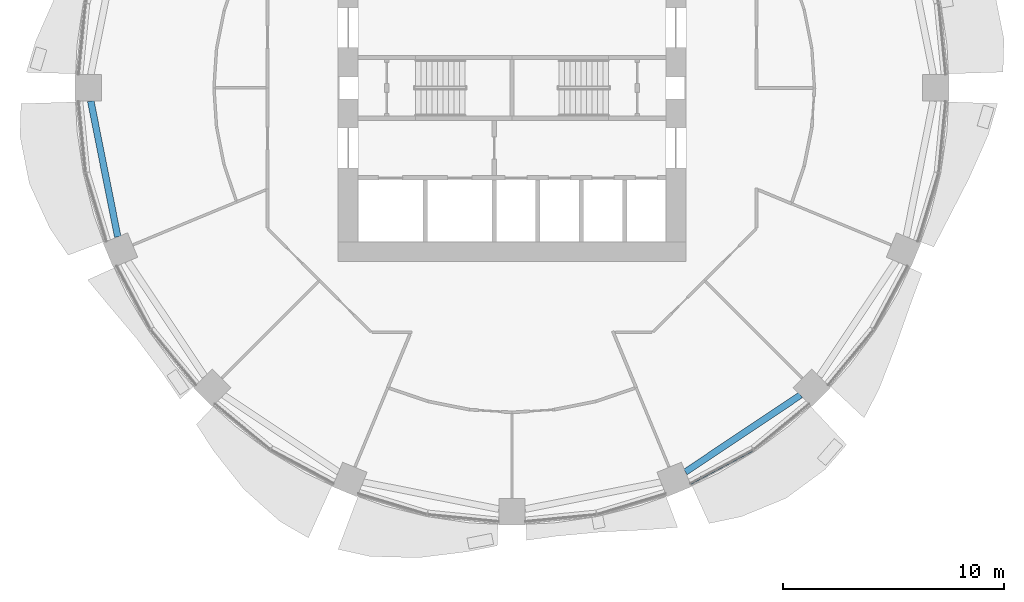
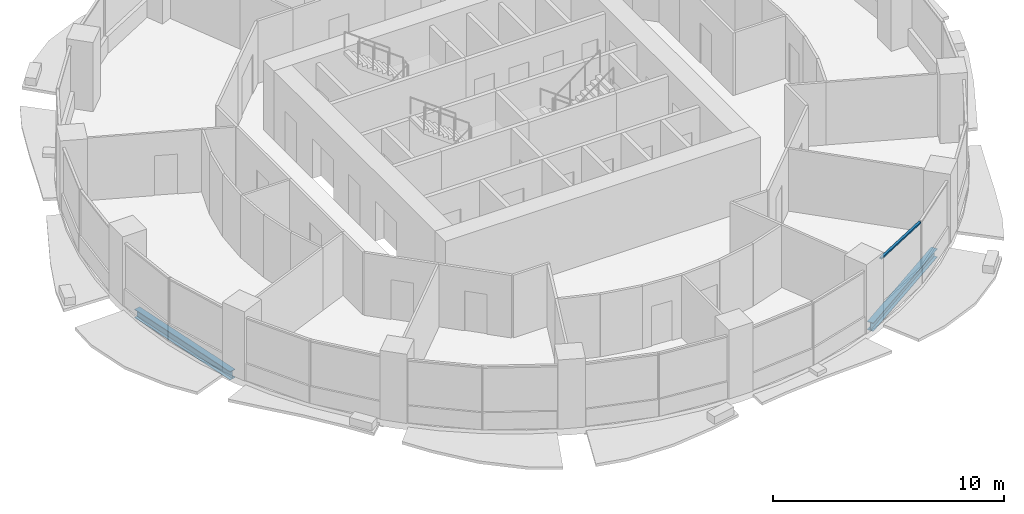
# One storey, part 3 of 15: 2 beams, 1 member, 1 element without a shape of its own.
"""IFC4 building model written with IfcOpenShell, lengths in metres."""

from ifc_helpers import new_model, si_unit, direction, frame, origin, origin_2d, place, context, subcontext, project, spatial, rectangle, i_section, extrude, material, material_profile, profile_set, type_object, element, aggregate, save


model = new_model("IFC4")

# Units and contexts
model_context = context("Model", 3, precision=1e-05, world=origin(), true_north=direction((0.0, 1.0)))
body_context = subcontext(model_context, "Body", "Model", "MODEL_VIEW")
ifc_project = project(units=[si_unit("LENGTHUNIT", "METRE"), si_unit("AREAUNIT", "SQUARE_METRE"), si_unit("VOLUMEUNIT", "CUBIC_METRE"), si_unit("PLANEANGLEUNIT", "RADIAN"), si_unit("MASSUNIT", "GRAM", prefix="KILO")], contexts=[model_context])

# Site, building, storey
site_placement = place(None, origin())
site = spatial("IfcSite", under=ifc_project, at=site_placement, CompositionType="ELEMENT")
building_placement = place(site_placement, origin())
building = spatial("IfcBuilding", under=site, at=building_placement, Name="Polderwave Tower", CompositionType="ELEMENT")
storey_placement = place(building_placement, frame((0.0, 0.0, 33.5)))
storey = spatial("IfcBuildingStorey", under=building, at=storey_placement, Name="L08", CompositionType="ELEMENT", Elevation=33.5)

# Curtain wall, member
ifc_material_1 = material(Name="Aluminium 6063-T6 and glass", Category="aluminium")
curtain_wall_type = type_object("IfcCurtainWallType", Name="Growing floor ribbon glazing wall", PredefinedType="NOTDEFINED", material=ifc_material_1)
curtain_wall_placement = place(storey_placement, origin())
curtain_wall = element("IfcCurtainWall", 1, at=curtain_wall_placement, inside=storey, type_object=curtain_wall_type, Name="CW2 L08 13", PredefinedType="NOTDEFINED")
ifc_material_2 = material(Name="Aluminium 6063-T6", Category="aluminium")
ifc_material_profile_1 = material_profile(ifc_material_2, rectangle(XDim=0.1201171875, YDim=0.080078125, at=origin_2d()), Name="AL 80x120")
ifc_profile_set_1 = profile_set([ifc_material_profile_1], Name="Aluminium 6063-T6")
member_type = type_object("IfcMemberType", Name="Growing floor ribbon glazing transom 80x120", PredefinedType="USERDEFINED", material=ifc_profile_set_1)
member_placement = place(storey_placement, frame((8.071044921875, -17.916015625, 3.260009765625), z_axis=(0.88192137056, 0.471396538118, 0.0), x_axis=(-0.471396538118, 0.88192137056, 0.0)))
member = element("IfcMember", 2, at=member_placement, type_object=member_type, Name="CW2 transom 1", ObjectType="TRANSOM", PredefinedType="USERDEFINED", context=body_context, shape_type="SweptSolid", body=[
    extrude(rectangle(XDim=0.1201171875, YDim=0.080078125, at=origin_2d()), origin(), (0.0, 0.0, 1.0), 3.228759765625),
])
aggregate(curtain_wall, [member])

# Beams
ifc_material_3 = material(Name="Steel S355", Category="steel")
ifc_material_profile_2 = material_profile(ifc_material_3, i_section(OverallWidth=0.300048828125, OverallDepth=0.449951171875, WebThickness=0.013916015625, FlangeThickness=0.02587890625, at=origin_2d()), Name="HE 450 B")
ifc_profile_set_2 = profile_set([ifc_material_profile_2], Name="Steel S355")
beam_type = type_object("IfcBeamType", Name="RING BEAM HE 450 B", PredefinedType="BEAM", material=ifc_profile_set_2)
beam_1_placement = place(storey_placement, frame((-19.08056640625, -0.60009765625, -0.574951171875), z_axis=(0.195067338291, -0.98078985187, 0.0), x_axis=(0.98078985187, 0.195067338291, 0.0)))
element("IfcBeam", 3, at=beam_1_placement, inside=storey, type_object=beam_type, Name="ST-RB-L08-08", PredefinedType="BEAM", context=body_context, shape_type="SweptSolid", body=[
    extrude(i_section(OverallWidth=0.300048828125, OverallDepth=0.449951171875, WebThickness=0.013916015625, FlangeThickness=0.02587890625, at=origin_2d()), origin(), (0.0, 0.0, 1.0), 6.267822265625),
])
beam_2_placement = place(storey_placement, frame((7.856201171875, -17.398681640625, -0.574951171875), z_axis=(0.831462584076, 0.555580751359, 0.0), x_axis=(-0.555580751359, 0.831462584076, 0.0)))
element("IfcBeam", 4, at=beam_2_placement, inside=storey, type_object=beam_type, Name="ST-RB-L08-13", PredefinedType="BEAM", context=body_context, shape_type="SweptSolid", body=[
    extrude(i_section(OverallWidth=0.300048828125, OverallDepth=0.449951171875, WebThickness=0.013916015625, FlangeThickness=0.02587890625, at=origin_2d()), origin(), (0.0, 0.0, 1.0), 6.26806640625),
])

save(model, "model.ifc")
